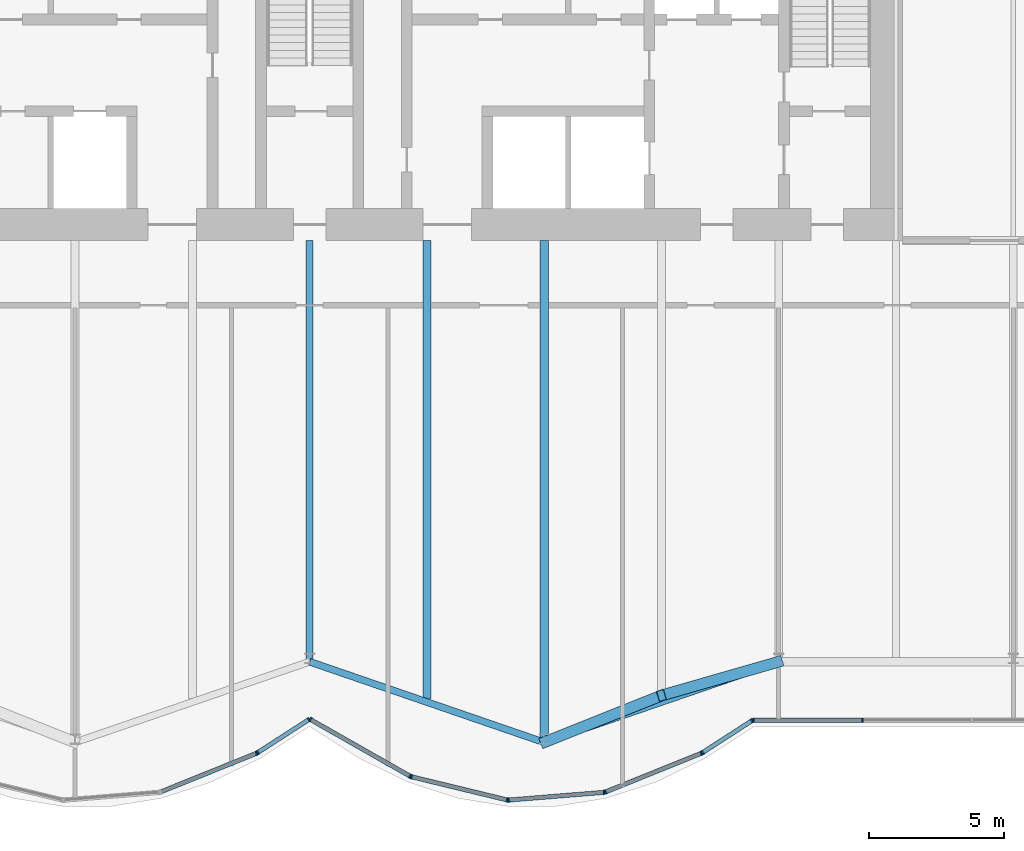
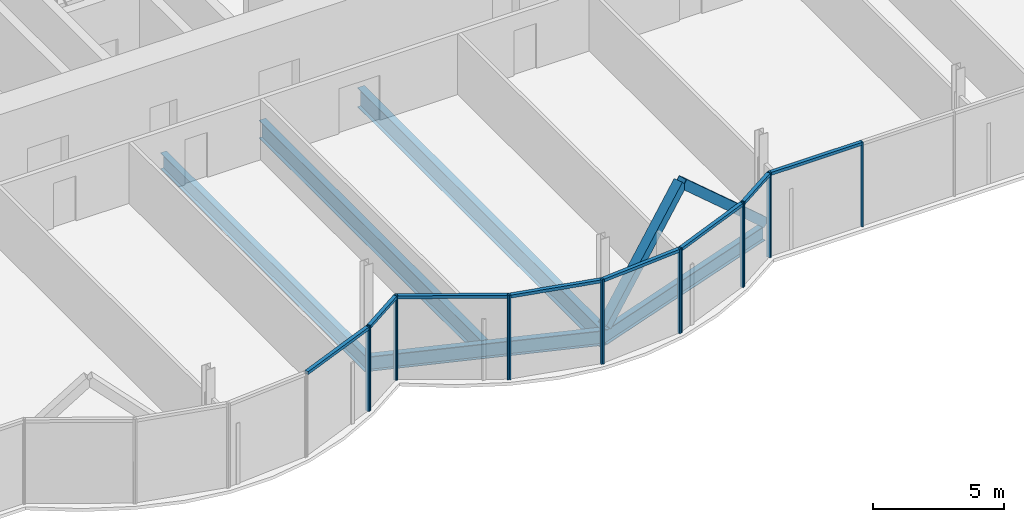
# One storey, part 8 of 20: 25 members, 5 beams, 3 elements without a shape of their own.
"""IFC4 building model written with IfcOpenShell, lengths in metres."""

from ifc_helpers import new_model, si_unit, direction, frame, origin, origin_2d, place, context, subcontext, project, spatial, rectangle, hollow_rectangle, i_section, extrude, material, material_profile, profile_set, type_object, element, aggregate, save


model = new_model("IFC4")

# Units and contexts
model_context = context("Model", 3, precision=1e-05, world=origin(), true_north=direction((0.0, 1.0)))
body_context = subcontext(model_context, "Body", "Model", "MODEL_VIEW")
ifc_project = project(units=[si_unit("LENGTHUNIT", "METRE"), si_unit("AREAUNIT", "SQUARE_METRE"), si_unit("VOLUMEUNIT", "CUBIC_METRE"), si_unit("PLANEANGLEUNIT", "RADIAN"), si_unit("MASSUNIT", "GRAM", prefix="KILO")], contexts=[model_context])

# Site, building, storey
site_placement = place(None, origin())
site = spatial("IfcSite", under=ifc_project, at=site_placement, CompositionType="ELEMENT")
building_placement = place(site_placement, origin())
building = spatial("IfcBuilding", under=site, at=building_placement, Name="Bicima Exchange Tower", CompositionType="ELEMENT")
storey_placement = place(building_placement, frame((0.0, 0.0, 227.800048828125)))
storey = spatial("IfcBuildingStorey", under=building, at=storey_placement, Name="L51", CompositionType="ELEMENT", Elevation=227.800048828125)

# Beams
ifc_material_1 = material(Name="Steel ASTM A992 Gr 50", Category="steel")
ifc_material_profile_1 = material_profile(ifc_material_1, i_section(OverallWidth=0.2666015625, OverallDepth=0.75439453125, WebThickness=0.01318359375, FlangeThickness=0.01708984375, at=origin_2d()))
ifc_profile_set_1 = profile_set([ifc_material_profile_1], Name="Steel ASTM A992 Gr 50")
beam_type_1 = type_object("IfcBeamType", Name="Floor beam W30x99", PredefinedType="JOIST", material=ifc_profile_set_1)
beam_1_placement = place(storey_placement, frame((0.0, -13.0, -0.52734375), z_axis=(0.0, -1.0, 0.0), x_axis=(1.0, 0.0, 0.0)))
element("IfcBeam", 1, at=beam_1_placement, inside=storey, type_object=beam_type_1, Name="Floor beam", PredefinedType="JOIST", context=body_context, shape_type="SweptSolid", body=[
    extrude(i_section(OverallWidth=0.2666015625, OverallDepth=0.75439453125, WebThickness=0.01318359375, FlangeThickness=0.01708984375, at=origin_2d()), origin(), (0.0, 0.0, 1.0), 15.6201171875),
])
ifc_material_profile_2 = material_profile(ifc_material_1, i_section(OverallWidth=0.2919921875, OverallDepth=0.835693359375, WebThickness=0.013916015625, FlangeThickness=0.018798828125, at=origin_2d()))
ifc_profile_set_2 = profile_set([ifc_material_profile_2], Name="Steel ASTM A992 Gr 50")
beam_type_2 = type_object("IfcBeamType", Name="Floor beam W33x118", PredefinedType="JOIST", material=ifc_profile_set_2)
beam_2_placement = place(storey_placement, frame((4.35009765625, -13.0, -0.56787109375), z_axis=(0.0, -1.0, 0.0), x_axis=(1.0, 0.0, 0.0)))
element("IfcBeam", 2, at=beam_2_placement, inside=storey, type_object=beam_type_2, Name="Floor beam", PredefinedType="JOIST", context=body_context, shape_type="SweptSolid", body=[
    extrude(i_section(OverallWidth=0.2919921875, OverallDepth=0.835693359375, WebThickness=0.013916015625, FlangeThickness=0.018798828125, at=origin_2d()), origin(), (0.0, 0.0, 1.0), 16.97998046875),
])
ifc_material_profile_3 = material_profile(ifc_material_1, i_section(OverallWidth=0.3046875, OverallDepth=0.904296875, WebThickness=0.01513671875, FlangeThickness=0.02001953125, at=origin_2d()))
ifc_profile_set_3 = profile_set([ifc_material_profile_3], Name="Steel ASTM A992 Gr 50")
beam_type_3 = type_object("IfcBeamType", Name="Floor beam W36x135", PredefinedType="JOIST", material=ifc_profile_set_3)
beam_3_placement = place(storey_placement, frame((8.699951171875, -13.0, -0.60205078125), z_axis=(0.0, -1.0, 0.0), x_axis=(1.0, 0.0, 0.0)))
element("IfcBeam", 3, at=beam_3_placement, inside=storey, type_object=beam_type_3, Name="Floor beam", PredefinedType="JOIST", context=body_context, shape_type="SweptSolid", body=[
    extrude(i_section(OverallWidth=0.3046875, OverallDepth=0.904296875, WebThickness=0.01513671875, FlangeThickness=0.02001953125, at=origin_2d()), origin(), (0.0, 0.0, 1.0), 18.475341796875),
])
ifc_material_profile_4 = material_profile(ifc_material_1, i_section(OverallWidth=0.256591796875, OverallDepth=0.693359375, WebThickness=0.014404296875, FlangeThickness=0.023681640625, at=origin_2d()))
ifc_profile_set_4 = profile_set([ifc_material_profile_4], Name="Steel ASTM A992 Gr 50")
beam_type_4 = type_object("IfcBeamType", Name="Front girder W27x114", PredefinedType="BEAM", material=ifc_profile_set_4)
for number, where, z_axis, x_axis, name in (
    (4, (0.0, -28.6201171875, -0.496826171875), (0.945674616091, -0.32511462668, 0.0), (0.32511462668, 0.945674616091, 0.0), "Front girder"),
    (5, (8.699951171875, -31.611083984375, -0.496826171875), (0.945674616091, 0.32511462668, 0.0), (-0.32511462668, 0.945674616091, 0.0), "Front girder"),
):
    element("IfcBeam", number, at=place(storey_placement, frame(where, z_axis=z_axis, x_axis=x_axis)), inside=storey, type_object=beam_type_4, Name=name, PredefinedType="BEAM", context=body_context, shape_type="SweptSolid", body=[
        extrude(i_section(OverallWidth=0.256591796875, OverallDepth=0.693359375, WebThickness=0.014404296875, FlangeThickness=0.023681640625, at=origin_2d()), origin(), (0.0, 0.0, 1.0), 9.19970703125),
    ])

# Curtain wall, members
ifc_material_2 = material(Name="Anodised bronze aluminium", Category="aluminium")
curtain_wall_type = type_object("IfcCurtainWallType", Name="Front glass wall", PredefinedType="NOTDEFINED", material=ifc_material_2)
curtain_wall_1_placement = place(storey_placement, origin())
curtain_wall_1 = element("IfcCurtainWall", 6, at=curtain_wall_1_placement, inside=storey, type_object=curtain_wall_type, Name="Front glass wall L51 run 6", PredefinedType="NOTDEFINED")
ifc_material_profile_5 = material_profile(ifc_material_2, rectangle(XDim=0.159912109375, YDim=0.06005859375, at=origin_2d()))
ifc_profile_set_5 = profile_set([ifc_material_profile_5], Name="Anodised bronze aluminium")
member_type_1 = type_object("IfcMemberType", Name="Front glass wall mullion 60 x 160", PredefinedType="MULLION", material=ifc_profile_set_5)
member_1_placement = place(storey_placement, frame((-1.97412109375, -32.015625, 0.0), z_axis=(0.0, 0.0, 1.0), x_axis=(-0.374705304, 0.92714396679, 0.0)))
member_1 = element("IfcMember", 7, at=member_1_placement, type_object=member_type_1, Name="Front glass wall mullion 2", PredefinedType="MULLION", context=body_context, shape_type="SweptSolid", body=[
    extrude(rectangle(XDim=0.159912109375, YDim=0.06005859375, at=origin_2d()), origin(), (0.0, 0.0, 1.0), 3.949951171875),
])
member_2_placement = place(storey_placement, frame((-1.921142578125, -31.988037109375, 0.0), z_axis=(0.0, 0.0, 1.0), x_axis=(-0.542897457326, 0.839798994301, 0.0)))
member_2 = element("IfcMember", 8, at=member_2_placement, type_object=member_type_1, Name="Front glass wall mullion 1", PredefinedType="MULLION", context=body_context, shape_type="SweptSolid", body=[
    extrude(rectangle(XDim=0.159912109375, YDim=0.06005859375, at=origin_2d()), origin(), (0.0, 0.0, 1.0), 3.949951171875),
])
member_3_placement = place(storey_placement, frame((-0.025146484375, -30.762451171875, 0.0), z_axis=(0.0, 0.0, 1.0), x_axis=(-0.542897457326, 0.839798994301, 0.0)))
member_3 = element("IfcMember", 9, at=member_3_placement, type_object=member_type_1, Name="Front glass wall mullion 2", PredefinedType="MULLION", context=body_context, shape_type="SweptSolid", body=[
    extrude(rectangle(XDim=0.159912109375, YDim=0.06005859375, at=origin_2d()), origin(), (0.0, 0.0, 1.0), 3.949951171875),
])

curtain_wall_2_placement = place(storey_placement, origin())
curtain_wall_2 = element("IfcCurtainWall", 10, at=curtain_wall_2_placement, inside=storey, type_object=curtain_wall_type, Name="Front glass wall L51 run 11", PredefinedType="NOTDEFINED")
member_4_placement = place(storey_placement, frame((0.026123046875, -30.760986328125, 0.0), z_axis=(0.0, 0.0, 1.0), x_axis=(0.494330311331, 0.869274147378, 0.0)))
member_4 = element("IfcMember", 11, at=member_4_placement, type_object=member_type_1, Name="Front glass wall mullion 1", PredefinedType="MULLION", context=body_context, shape_type="SweptSolid", body=[
    extrude(rectangle(XDim=0.159912109375, YDim=0.06005859375, at=origin_2d()), origin(), (0.0, 0.0, 1.0), 3.949951171875),
])
member_5_placement = place(storey_placement, frame((3.7265625, -32.865478515625, 0.0), z_axis=(0.0, 0.0, 1.0), x_axis=(0.494330311331, 0.869274147378, 0.0)))
member_5 = element("IfcMember", 12, at=member_5_placement, type_object=member_type_1, Name="Front glass wall mullion 2", PredefinedType="MULLION", context=body_context, shape_type="SweptSolid", body=[
    extrude(rectangle(XDim=0.159912109375, YDim=0.06005859375, at=origin_2d()), origin(), (0.0, 0.0, 1.0), 3.949951171875),
])
member_6_placement = place(storey_placement, frame((3.781982421875, -32.88720703125, 0.0), z_axis=(0.0, 0.0, 1.0), x_axis=(0.235681529503, 0.971830343553, 0.0)))
member_6 = element("IfcMember", 13, at=member_6_placement, type_object=member_type_1, Name="Front glass wall mullion 1", PredefinedType="MULLION", context=body_context, shape_type="SweptSolid", body=[
    extrude(rectangle(XDim=0.159912109375, YDim=0.06005859375, at=origin_2d()), origin(), (0.0, 0.0, 1.0), 3.949951171875),
])
member_7_placement = place(storey_placement, frame((7.322509765625, -33.745849609375, 0.0), z_axis=(0.0, 0.0, 1.0), x_axis=(0.235681529503, 0.971830343553, 0.0)))
member_7 = element("IfcMember", 14, at=member_7_placement, type_object=member_type_1, Name="Front glass wall mullion 2", PredefinedType="MULLION", context=body_context, shape_type="SweptSolid", body=[
    extrude(rectangle(XDim=0.159912109375, YDim=0.06005859375, at=origin_2d()), origin(), (0.0, 0.0, 1.0), 3.949951171875),
])
member_8_placement = place(storey_placement, frame((7.381591796875, -33.75048828125, 0.0), z_axis=(0.0, 0.0, 1.0), x_axis=(-0.080588612633, 0.99674744821, 0.0)))
member_8 = element("IfcMember", 15, at=member_8_placement, type_object=member_type_1, Name="Front glass wall mullion 1", PredefinedType="MULLION", context=body_context, shape_type="SweptSolid", body=[
    extrude(rectangle(XDim=0.159912109375, YDim=0.06005859375, at=origin_2d()), origin(), (0.0, 0.0, 1.0), 3.949951171875),
])
member_9_placement = place(storey_placement, frame((10.916015625, -33.46484375, 0.0), z_axis=(0.0, 0.0, 1.0), x_axis=(-0.080588612633, 0.99674744821, 0.0)))
member_9 = element("IfcMember", 16, at=member_9_placement, type_object=member_type_1, Name="Front glass wall mullion 2", PredefinedType="MULLION", context=body_context, shape_type="SweptSolid", body=[
    extrude(rectangle(XDim=0.159912109375, YDim=0.06005859375, at=origin_2d()), origin(), (0.0, 0.0, 1.0), 3.949951171875),
])
member_10_placement = place(storey_placement, frame((10.973876953125, -33.451171875, 0.0), z_axis=(0.0, 0.0, 1.0), x_axis=(-0.374705304, 0.92714396679, 0.0)))
member_10 = element("IfcMember", 17, at=member_10_placement, type_object=member_type_1, Name="Front glass wall mullion 1", PredefinedType="MULLION", context=body_context, shape_type="SweptSolid", body=[
    extrude(rectangle(XDim=0.159912109375, YDim=0.06005859375, at=origin_2d()), origin(), (0.0, 0.0, 1.0), 3.949951171875),
])
member_11_placement = place(storey_placement, frame((14.52587890625, -32.015625, 0.0), z_axis=(0.0, 0.0, 1.0), x_axis=(-0.374705304, 0.92714396679, 0.0)))
member_11 = element("IfcMember", 18, at=member_11_placement, type_object=member_type_1, Name="Front glass wall mullion 2", PredefinedType="MULLION", context=body_context, shape_type="SweptSolid", body=[
    extrude(rectangle(XDim=0.159912109375, YDim=0.06005859375, at=origin_2d()), origin(), (0.0, 0.0, 1.0), 3.949951171875),
])
member_12_placement = place(storey_placement, frame((14.578857421875, -31.988037109375, 0.0), z_axis=(0.0, 0.0, 1.0), x_axis=(-0.542909183079, 0.839791413941, 0.0)))
member_12 = element("IfcMember", 19, at=member_12_placement, type_object=member_type_1, Name="Front glass wall mullion 1", PredefinedType="MULLION", context=body_context, shape_type="SweptSolid", body=[
    extrude(rectangle(XDim=0.159912109375, YDim=0.06005859375, at=origin_2d()), origin(), (0.0, 0.0, 1.0), 3.949951171875),
])
member_13_placement = place(storey_placement, frame((16.406982421875, -30.806396484375, 0.0), z_axis=(0.0, 0.0, 1.0), x_axis=(-0.542909183079, 0.839791413941, 0.0)))
member_13 = element("IfcMember", 20, at=member_13_placement, type_object=member_type_1, Name="Front glass wall mullion 2", PredefinedType="MULLION", context=body_context, shape_type="SweptSolid", body=[
    extrude(rectangle(XDim=0.159912109375, YDim=0.06005859375, at=origin_2d()), origin(), (0.0, 0.0, 1.0), 3.949951171875),
])

curtain_wall_3_placement = place(storey_placement, origin())
curtain_wall_3 = element("IfcCurtainWall", 21, at=curtain_wall_3_placement, inside=storey, type_object=curtain_wall_type, Name="Front glass wall L51 run 16", PredefinedType="NOTDEFINED")
member_14_placement = place(storey_placement, frame((16.462158203125, -30.7900390625, 0.0), z_axis=(0.0, 0.0, 1.0), x_axis=(0.0, 1.0, 0.0)))
member_14 = element("IfcMember", 22, at=member_14_placement, type_object=member_type_1, Name="Front glass wall mullion 1", PredefinedType="MULLION", context=body_context, shape_type="SweptSolid", body=[
    extrude(rectangle(XDim=0.159912109375, YDim=0.06005859375, at=origin_2d()), origin(), (0.0, 0.0, 1.0), 3.949951171875),
])
member_15_placement = place(storey_placement, frame((20.51171875, -30.7900390625, 0.0), z_axis=(0.0, 0.0, 1.0), x_axis=(0.0, 1.0, 0.0)))
member_15 = element("IfcMember", 23, at=member_15_placement, type_object=member_type_1, Name="Front glass wall mullion 2", PredefinedType="MULLION", context=body_context, shape_type="SweptSolid", body=[
    extrude(rectangle(XDim=0.159912109375, YDim=0.06005859375, at=origin_2d()), origin(), (0.0, 0.0, 1.0), 3.949951171875),
])

# Member
ifc_material_profile_6 = material_profile(ifc_material_2, rectangle(XDim=0.159912109375, YDim=0.139892578125, at=origin_2d()))
ifc_profile_set_6 = profile_set([ifc_material_profile_6], Name="Anodised bronze aluminium")
member_type_2 = type_object("IfcMemberType", Name="Front glass wall transom 140 x 160", PredefinedType="USERDEFINED", material=ifc_profile_set_6)
member_16_placement = place(storey_placement, frame((-5.498291015625, -33.43994140625, 3.8798828125), z_axis=(0.927140215882, 0.374714584842, 0.0), x_axis=(-0.374714584842, 0.927140215882, 0.0)))
member_16 = element("IfcMember", 24, at=member_16_placement, type_object=member_type_2, Name="Front glass wall transom 1.1", ObjectType="TRANSOM", PredefinedType="USERDEFINED", context=body_context, shape_type="SweptSolid", body=[
    extrude(rectangle(XDim=0.159912109375, YDim=0.139892578125, at=origin_2d()), origin(), (0.0, 0.0, 1.0), 3.77099609375),
])

member_17_placement = place(storey_placement, frame((-1.89599609375, -31.9716796875, 3.8798828125), z_axis=(0.839862128766, 0.542799783221, 0.0), x_axis=(-0.542799783221, 0.839862128766, 0.0)))
member_17 = element("IfcMember", 25, at=member_17_placement, type_object=member_type_2, Name="Front glass wall transom 1.1", ObjectType="TRANSOM", PredefinedType="USERDEFINED", context=body_context, shape_type="SweptSolid", body=[
    extrude(rectangle(XDim=0.159912109375, YDim=0.139892578125, at=origin_2d()), origin(), (0.0, 0.0, 1.0), 2.197509765625),
])

aggregate(curtain_wall_1, [member_1, member_16, member_2, member_3, member_17])

member_18_placement = place(storey_placement, frame((0.05224609375, -30.77587890625, 3.8798828125), z_axis=(0.869265121745, -0.494346182466, 0.0), x_axis=(0.494346182466, 0.869265121745, 0.0)))
member_18 = element("IfcMember", 26, at=member_18_placement, type_object=member_type_2, Name="Front glass wall transom 1.1", ObjectType="TRANSOM", PredefinedType="USERDEFINED", context=body_context, shape_type="SweptSolid", body=[
    extrude(rectangle(XDim=0.159912109375, YDim=0.139892578125, at=origin_2d()), origin(), (0.0, 0.0, 1.0), 4.19677734375),
])

member_19_placement = place(storey_placement, frame((3.81103515625, -32.894287109375, 3.8798828125), z_axis=(0.971817951661, -0.235732621477, 0.0), x_axis=(0.235732621477, 0.971817951661, 0.0)))
member_19 = element("IfcMember", 27, at=member_19_placement, type_object=member_type_2, Name="Front glass wall transom 1.1", ObjectType="TRANSOM", PredefinedType="USERDEFINED", context=body_context, shape_type="SweptSolid", body=[
    extrude(rectangle(XDim=0.159912109375, YDim=0.139892578125, at=origin_2d()), origin(), (0.0, 0.0, 1.0), 3.58349609375),
])

member_20_placement = place(storey_placement, frame((7.41162109375, -33.748291015625, 3.8798828125), z_axis=(0.9967456465, 0.080610893699, 0.0), x_axis=(-0.080610893699, 0.9967456465, 0.0)))
member_20 = element("IfcMember", 28, at=member_20_placement, type_object=member_type_2, Name="Front glass wall transom 1.1", ObjectType="TRANSOM", PredefinedType="USERDEFINED", context=body_context, shape_type="SweptSolid", body=[
    extrude(rectangle(XDim=0.159912109375, YDim=0.139892578125, at=origin_2d()), origin(), (0.0, 0.0, 1.0), 3.48583984375),
])

member_21_placement = place(storey_placement, frame((11.001708984375, -33.43994140625, 3.8798828125), z_axis=(0.927140215882, 0.374714584842, 0.0), x_axis=(-0.374714584842, 0.927140215882, 0.0)))
member_21 = element("IfcMember", 29, at=member_21_placement, type_object=member_type_2, Name="Front glass wall transom 1.1", ObjectType="TRANSOM", PredefinedType="USERDEFINED", context=body_context, shape_type="SweptSolid", body=[
    extrude(rectangle(XDim=0.159912109375, YDim=0.139892578125, at=origin_2d()), origin(), (0.0, 0.0, 1.0), 3.77099609375),
])

member_22_placement = place(storey_placement, frame((14.60400390625, -31.9716796875, 3.8798828125), z_axis=(0.839792890287, 0.542906899407, 0.0), x_axis=(-0.542906899407, 0.839792890287, 0.0)))
member_22 = element("IfcMember", 30, at=member_22_placement, type_object=member_type_2, Name="Front glass wall transom 1.1", ObjectType="TRANSOM", PredefinedType="USERDEFINED", context=body_context, shape_type="SweptSolid", body=[
    extrude(rectangle(XDim=0.159912109375, YDim=0.139892578125, at=origin_2d()), origin(), (0.0, 0.0, 1.0), 2.11669921875),
])

aggregate(curtain_wall_2, [member_4, member_5, member_18, member_6, member_7, member_19, member_8, member_9, member_20, member_10, member_11, member_21, member_12, member_13, member_22])

member_23_placement = place(storey_placement, frame((16.4921875, -30.7900390625, 3.8798828125), z_axis=(1.0, 0.0, 0.0), x_axis=(0.0, 1.0, 0.0)))
member_23 = element("IfcMember", 31, at=member_23_placement, type_object=member_type_2, Name="Front glass wall transom 1.1", ObjectType="TRANSOM", PredefinedType="USERDEFINED", context=body_context, shape_type="SweptSolid", body=[
    extrude(rectangle(XDim=0.159912109375, YDim=0.139892578125, at=origin_2d()), origin(), (0.0, 0.0, 1.0), 3.989501953125),
])

aggregate(curtain_wall_3, [member_14, member_15, member_23])

# Members
ifc_material_3 = material(Name="Steel ASTM A572 Gr 50", Category="steel")
ifc_material_profile_7 = material_profile(ifc_material_3, hollow_rectangle(XDim=0.406494140625, YDim=0.406494140625, WallThickness=0.0146484375, at=origin_2d()))
ifc_profile_set_7 = profile_set([ifc_material_profile_7], Name="Steel ASTM A572 Gr 50")
member_type_3 = type_object("IfcMemberType", Name="Mega brace HSS16x16x5/8", PredefinedType="BRACE", material=ifc_profile_set_7)
member_24_placement = place(storey_placement, frame((8.699951171875, -31.611083984375, 0.0), z_axis=(0.698744239452, 0.279411421377, 0.658548210412), x_axis=(-0.371291842786, 0.928516218211, 0.0)))
element("IfcMember", 32, at=member_24_placement, inside=storey, type_object=member_type_3, Name="Mega brace front", PredefinedType="BRACE", context=body_context, shape_type="SweptSolid", body=[
    extrude(hollow_rectangle(XDim=0.406494140625, YDim=0.406494140625, WallThickness=0.0146484375, at=origin_2d()), origin(), (0.0, 0.0, 1.0), 6.2255859375),
])
member_25_placement = place(storey_placement, frame((17.39990234375, -28.6201171875, 0.0), z_axis=(-0.71226631392, -0.204920981375, 0.671330089783), x_axis=(0.27648739579, -0.961017544049, 0.0)))
element("IfcMember", 33, at=member_25_placement, inside=storey, type_object=member_type_3, Name="Mega brace front", PredefinedType="BRACE", context=body_context, shape_type="SweptSolid", body=[
    extrude(hollow_rectangle(XDim=0.406494140625, YDim=0.406494140625, WallThickness=0.0146484375, at=origin_2d()), origin(), (0.0, 0.0, 1.0), 6.107177734375),
])

save(model, "model.ifc")
